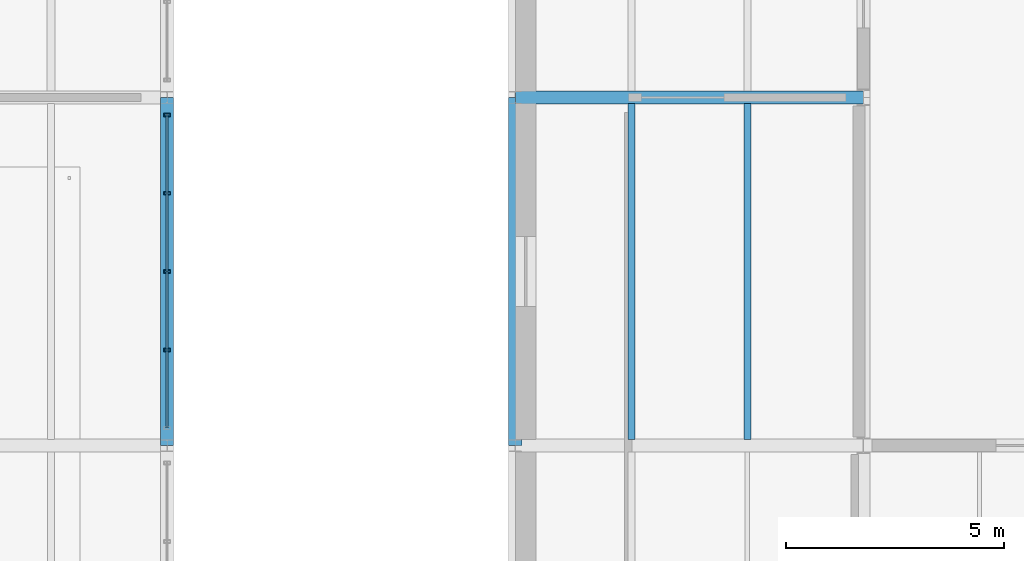
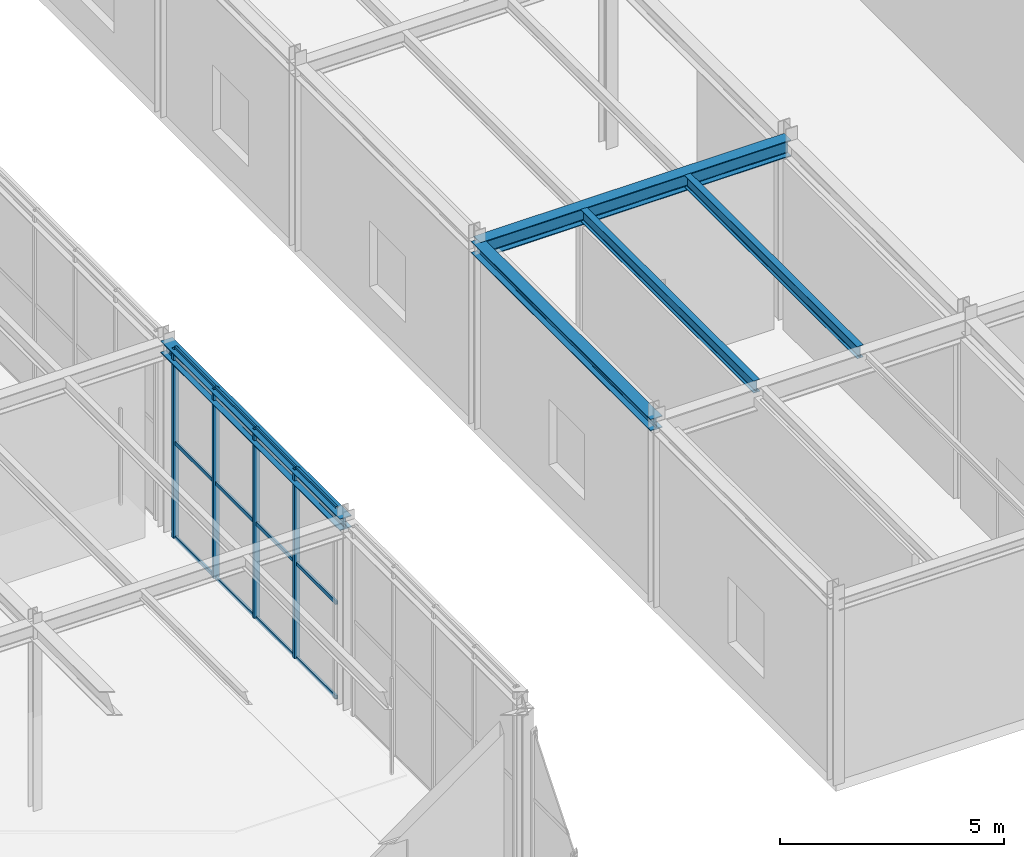
# One storey, part 51 of 129: 16 members, 5 beams, 1 element without a shape of its own.
"""IFC4 building model written with IfcOpenShell, lengths in metres."""

from ifc_helpers import new_model, si_unit, direction, frame, origin, origin_2d, place, context, subcontext, project, spatial, hollow_rectangle, i_section, extrude, material, material_profile, profile_set, type_object, element, aggregate, save


model = new_model("IFC4")

# Units and contexts
model_context = context("Model", 3, precision=1e-05, world=origin(), true_north=direction((0.0, 1.0)))
body_context = subcontext(model_context, "Body", "Model", "MODEL_VIEW")
ifc_project = project(units=[si_unit("LENGTHUNIT", "METRE"), si_unit("AREAUNIT", "SQUARE_METRE"), si_unit("VOLUMEUNIT", "CUBIC_METRE"), si_unit("PLANEANGLEUNIT", "RADIAN"), si_unit("MASSUNIT", "GRAM", prefix="KILO")], contexts=[model_context])

# Site, building, storey
site_placement = place(None, origin())
site = spatial("IfcSite", under=ifc_project, at=site_placement, CompositionType="ELEMENT")
building_placement = place(site_placement, origin())
building = spatial("IfcBuilding", under=site, at=building_placement, Name="Sundkrona Museum", CompositionType="ELEMENT")
storey_placement = place(building_placement, origin())
storey = spatial("IfcBuildingStorey", under=building, at=storey_placement, Name="L00", CompositionType="ELEMENT", Elevation=0.0)

# Beams
ifc_material_1 = material(Name="Steel S355J2", Category="steel")
ifc_material_profile_1 = material_profile(ifc_material_1, i_section(OverallWidth=0.300048828125, OverallDepth=0.43994140625, WebThickness=0.011474609375, FlangeThickness=0.02099609375, FilletRadius=0.027099609375, at=origin_2d()), Name="HEA 450")
ifc_profile_set_1 = profile_set([ifc_material_profile_1], Name="Steel S355J2")
beam_type_1 = type_object("IfcBeamType", Name="B-HEA450", PredefinedType="BEAM", material=ifc_profile_set_1)
beam_placement = place(storey_placement, frame((104.0, 94.0, 4.830078125), z_axis=(1.0, 0.0, 0.0), x_axis=(0.0, 1.0, 0.0)))
element("IfcBeam", 1, at=beam_placement, inside=storey, type_object=beam_type_1, Name="L00 Girder X-0560", PredefinedType="BEAM", context=body_context, shape_type="SweptSolid", body=[
    extrude(i_section(OverallWidth=0.300048828125, OverallDepth=0.43994140625, WebThickness=0.011474609375, FlangeThickness=0.02099609375, FilletRadius=0.027099609375, at=origin_2d()), origin(), (0.0, 0.0, 1.0), 8.0),
])
ifc_material_profile_2 = material_profile(ifc_material_1, i_section(OverallWidth=0.159912109375, OverallDepth=0.330078125, WebThickness=0.007568359375, FlangeThickness=0.011474609375, FilletRadius=0.01806640625, at=origin_2d()), Name="IPE 330")
ifc_profile_set_2 = profile_set([ifc_material_profile_2], Name="Steel S355J2")
beam_type_2 = type_object("IfcBeamType", Name="J-IPE330", PredefinedType="JOIST", material=ifc_profile_set_2)
for number, where, z_axis, x_axis, name in (
    (2, (106.666748046875, 86.14404296875, 4.885009765625), (0.0, 1.0, 0.0), (-1.0, 0.0, 0.0), "L00 Composite Joist 0441"),
    (3, (109.333251953125, 86.14404296875, 4.885009765625), (0.0, 1.0, 0.0), (-1.0, 0.0, 0.0), "L00 Composite Joist 0442"),
):
    element("IfcBeam", number, at=place(storey_placement, frame(where, z_axis=z_axis, x_axis=x_axis)), inside=storey, type_object=beam_type_2, Name=name, PredefinedType="JOIST", context=body_context, shape_type="SweptSolid", body=[
        extrude(i_section(OverallWidth=0.159912109375, OverallDepth=0.330078125, WebThickness=0.007568359375, FlangeThickness=0.011474609375, FilletRadius=0.01806640625, at=origin_2d()), origin(), (0.0, 0.0, 1.0), 7.7119140625),
    ])

# Curtain wall, members
ifc_material_2 = material(Name="Unitised Aluminium-Steel and Ceramic-Clad Curtain Walling", Category="steel")
curtain_wall_type = type_object("IfcCurtainWallType", Name="CW-PS-74x48", PredefinedType="NOTDEFINED", material=ifc_material_2)
curtain_wall_placement = place(storey_placement, origin())
curtain_wall = element("IfcCurtainWall", 4, at=curtain_wall_placement, inside=storey, type_object=curtain_wall_type, Name="L00 Curtain Wall CW-L00-105", PredefinedType="NOTDEFINED")
ifc_material_3 = material(Name="Aluminium EN AW-6060 T66", Category="aluminium")
ifc_material_profile_3 = material_profile(ifc_material_3, hollow_rectangle(XDim=0.074951171875, YDim=0.14990234375, WallThickness=0.00634765625, at=origin_2d()), Name="RHS 150x75x6.3")
ifc_profile_set_3 = profile_set([ifc_material_profile_3], Name="Aluminium EN AW-6060 T66")
member_type_1 = type_object("IfcMemberType", Name="ML-150", PredefinedType="MULLION", material=ifc_profile_set_3)
member_1_placement = place(storey_placement, frame((96.0, 88.199951171875, -0.00390625), z_axis=(0.0, 0.0, 1.0), x_axis=(0.0, 1.0, 0.0)))
member_1 = element("IfcMember", 5, at=member_1_placement, type_object=member_type_1, Name="CW-L00-105 Mullion 02", PredefinedType="MULLION", context=body_context, shape_type="SweptSolid", body=[
    extrude(hollow_rectangle(XDim=0.074951171875, YDim=0.14990234375, WallThickness=0.00634765625, at=origin_2d()), origin(), (0.0, 0.0, 1.0), 5.14794921875),
])
member_2_placement = place(storey_placement, frame((96.0, 90.0, -0.00390625), z_axis=(0.0, 0.0, 1.0), x_axis=(0.0, 1.0, 0.0)))
member_2 = element("IfcMember", 6, at=member_2_placement, type_object=member_type_1, Name="CW-L00-105 Mullion 03", PredefinedType="MULLION", context=body_context, shape_type="SweptSolid", body=[
    extrude(hollow_rectangle(XDim=0.074951171875, YDim=0.14990234375, WallThickness=0.00634765625, at=origin_2d()), origin(), (0.0, 0.0, 1.0), 5.14794921875),
])
member_3_placement = place(storey_placement, frame((96.0, 91.800048828125, -0.00390625), z_axis=(0.0, 0.0, 1.0), x_axis=(0.0, 1.0, 0.0)))
member_3 = element("IfcMember", 7, at=member_3_placement, type_object=member_type_1, Name="CW-L00-105 Mullion 04", PredefinedType="MULLION", context=body_context, shape_type="SweptSolid", body=[
    extrude(hollow_rectangle(XDim=0.074951171875, YDim=0.14990234375, WallThickness=0.00634765625, at=origin_2d()), origin(), (0.0, 0.0, 1.0), 5.14794921875),
])
member_4_placement = place(storey_placement, frame((96.0, 93.60009765625, -0.00390625), z_axis=(0.0, 0.0, 1.0), x_axis=(0.0, 1.0, 0.0)))
member_4 = element("IfcMember", 8, at=member_4_placement, type_object=member_type_1, Name="CW-L00-105 Mullion 05", PredefinedType="MULLION", context=body_context, shape_type="SweptSolid", body=[
    extrude(hollow_rectangle(XDim=0.074951171875, YDim=0.14990234375, WallThickness=0.00634765625, at=origin_2d()), origin(), (0.0, 0.0, 1.0), 5.14794921875),
])

# Beams
ifc_material_profile_4 = material_profile(ifc_material_1, i_section(OverallWidth=0.300048828125, OverallDepth=0.320068359375, WebThickness=0.011474609375, FlangeThickness=0.0205078125, FilletRadius=0.027099609375, at=origin_2d()), Name="HEB 320")
ifc_profile_set_4 = profile_set([ifc_material_profile_4], Name="Steel S355J2")
beam_type_3 = type_object("IfcBeamType", Name="SP-HEB320", PredefinedType="SPANDREL", material=ifc_profile_set_4)
for number, where, z_axis, x_axis, name in (
    (9, (96.0, 86.0, 4.97998046875), (0.0, 1.0, 0.0), (-1.0, 0.0, 0.0), "L00 Girder Y-0707"),
    (10, (104.0, 86.0, 4.889892578125), (0.0, 1.0, 0.0), (-1.0, 0.0, 0.0), "L00 Girder Y-0712"),
):
    element("IfcBeam", number, at=place(storey_placement, frame(where, z_axis=z_axis, x_axis=x_axis)), inside=storey, type_object=beam_type_3, Name=name, PredefinedType="SPANDREL", context=body_context, shape_type="SweptSolid", body=[
        extrude(i_section(OverallWidth=0.300048828125, OverallDepth=0.320068359375, WebThickness=0.011474609375, FlangeThickness=0.0205078125, FilletRadius=0.027099609375, at=origin_2d()), origin(), (0.0, 0.0, 1.0), 8.0),
    ])

# Member
ifc_material_profile_5 = material_profile(ifc_material_3, hollow_rectangle(XDim=0.050048828125, YDim=0.10009765625, WallThickness=0.0048828125, at=origin_2d()), Name="RHS 100x50x5.0")
ifc_profile_set_5 = profile_set([ifc_material_profile_5], Name="Aluminium EN AW-6060 T66")
member_type_2 = type_object("IfcMemberType", Name="TR-100", PredefinedType="USERDEFINED", material=ifc_profile_set_5)
member_5_placement = place(storey_placement, frame((96.0, 86.39990234375, -0.00390625), z_axis=(0.0, 1.0, 0.0), x_axis=(-1.0, 0.0, 0.0)))
member_5 = element("IfcMember", 11, at=member_5_placement, type_object=member_type_2, Name="CW-L00-105 Transom 01", ObjectType="TRANSOM", PredefinedType="USERDEFINED", context=body_context, shape_type="SweptSolid", body=[
    extrude(hollow_rectangle(XDim=0.050048828125, YDim=0.10009765625, WallThickness=0.0048828125, at=origin_2d()), origin(), (0.0, 0.0, 1.0), 1.800048828125),
])

member_6_placement = place(storey_placement, frame((96.0, 86.39990234375, 2.570068359375), z_axis=(0.0, 1.0, 0.0), x_axis=(-1.0, 0.0, 0.0)))
member_6 = element("IfcMember", 12, at=member_6_placement, type_object=member_type_2, Name="CW-L00-105 Transom 02", ObjectType="TRANSOM", PredefinedType="USERDEFINED", context=body_context, shape_type="SweptSolid", body=[
    extrude(hollow_rectangle(XDim=0.050048828125, YDim=0.10009765625, WallThickness=0.0048828125, at=origin_2d()), origin(), (0.0, 0.0, 1.0), 1.800048828125),
])

member_7_placement = place(storey_placement, frame((96.0, 86.39990234375, 5.14404296875), z_axis=(0.0, 1.0, 0.0), x_axis=(-1.0, 0.0, 0.0)))
member_7 = element("IfcMember", 13, at=member_7_placement, type_object=member_type_2, Name="CW-L00-105 Transom 03", ObjectType="TRANSOM", PredefinedType="USERDEFINED", context=body_context, shape_type="SweptSolid", body=[
    extrude(hollow_rectangle(XDim=0.050048828125, YDim=0.10009765625, WallThickness=0.0048828125, at=origin_2d()), origin(), (0.0, 0.0, 1.0), 1.800048828125),
])

member_8_placement = place(storey_placement, frame((96.0, 88.199951171875, -0.00390625), z_axis=(0.0, 1.0, 0.0), x_axis=(-1.0, 0.0, 0.0)))
member_8 = element("IfcMember", 14, at=member_8_placement, type_object=member_type_2, Name="CW-L00-105 Transom 04", ObjectType="TRANSOM", PredefinedType="USERDEFINED", context=body_context, shape_type="SweptSolid", body=[
    extrude(hollow_rectangle(XDim=0.050048828125, YDim=0.10009765625, WallThickness=0.0048828125, at=origin_2d()), origin(), (0.0, 0.0, 1.0), 1.800048828125),
])

member_9_placement = place(storey_placement, frame((96.0, 88.199951171875, 2.570068359375), z_axis=(0.0, 1.0, 0.0), x_axis=(-1.0, 0.0, 0.0)))
member_9 = element("IfcMember", 15, at=member_9_placement, type_object=member_type_2, Name="CW-L00-105 Transom 05", ObjectType="TRANSOM", PredefinedType="USERDEFINED", context=body_context, shape_type="SweptSolid", body=[
    extrude(hollow_rectangle(XDim=0.050048828125, YDim=0.10009765625, WallThickness=0.0048828125, at=origin_2d()), origin(), (0.0, 0.0, 1.0), 1.800048828125),
])

member_10_placement = place(storey_placement, frame((96.0, 88.199951171875, 5.14404296875), z_axis=(0.0, 1.0, 0.0), x_axis=(-1.0, 0.0, 0.0)))
member_10 = element("IfcMember", 16, at=member_10_placement, type_object=member_type_2, Name="CW-L00-105 Transom 06", ObjectType="TRANSOM", PredefinedType="USERDEFINED", context=body_context, shape_type="SweptSolid", body=[
    extrude(hollow_rectangle(XDim=0.050048828125, YDim=0.10009765625, WallThickness=0.0048828125, at=origin_2d()), origin(), (0.0, 0.0, 1.0), 1.800048828125),
])

member_11_placement = place(storey_placement, frame((96.0, 90.0, -0.00390625), z_axis=(0.0, 1.0, 0.0), x_axis=(-1.0, 0.0, 0.0)))
member_11 = element("IfcMember", 17, at=member_11_placement, type_object=member_type_2, Name="CW-L00-105 Transom 07", ObjectType="TRANSOM", PredefinedType="USERDEFINED", context=body_context, shape_type="SweptSolid", body=[
    extrude(hollow_rectangle(XDim=0.050048828125, YDim=0.10009765625, WallThickness=0.0048828125, at=origin_2d()), origin(), (0.0, 0.0, 1.0), 1.800048828125),
])

member_12_placement = place(storey_placement, frame((96.0, 90.0, 2.570068359375), z_axis=(0.0, 1.0, 0.0), x_axis=(-1.0, 0.0, 0.0)))
member_12 = element("IfcMember", 18, at=member_12_placement, type_object=member_type_2, Name="CW-L00-105 Transom 08", ObjectType="TRANSOM", PredefinedType="USERDEFINED", context=body_context, shape_type="SweptSolid", body=[
    extrude(hollow_rectangle(XDim=0.050048828125, YDim=0.10009765625, WallThickness=0.0048828125, at=origin_2d()), origin(), (0.0, 0.0, 1.0), 1.800048828125),
])

member_13_placement = place(storey_placement, frame((96.0, 90.0, 5.14404296875), z_axis=(0.0, 1.0, 0.0), x_axis=(-1.0, 0.0, 0.0)))
member_13 = element("IfcMember", 19, at=member_13_placement, type_object=member_type_2, Name="CW-L00-105 Transom 09", ObjectType="TRANSOM", PredefinedType="USERDEFINED", context=body_context, shape_type="SweptSolid", body=[
    extrude(hollow_rectangle(XDim=0.050048828125, YDim=0.10009765625, WallThickness=0.0048828125, at=origin_2d()), origin(), (0.0, 0.0, 1.0), 1.800048828125),
])

member_14_placement = place(storey_placement, frame((96.0, 91.800048828125, -0.00390625), z_axis=(0.0, 1.0, 0.0), x_axis=(-1.0, 0.0, 0.0)))
member_14 = element("IfcMember", 20, at=member_14_placement, type_object=member_type_2, Name="CW-L00-105 Transom 10", ObjectType="TRANSOM", PredefinedType="USERDEFINED", context=body_context, shape_type="SweptSolid", body=[
    extrude(hollow_rectangle(XDim=0.050048828125, YDim=0.10009765625, WallThickness=0.0048828125, at=origin_2d()), origin(), (0.0, 0.0, 1.0), 1.800048828125),
])

member_15_placement = place(storey_placement, frame((96.0, 91.800048828125, 2.570068359375), z_axis=(0.0, 1.0, 0.0), x_axis=(-1.0, 0.0, 0.0)))
member_15 = element("IfcMember", 21, at=member_15_placement, type_object=member_type_2, Name="CW-L00-105 Transom 11", ObjectType="TRANSOM", PredefinedType="USERDEFINED", context=body_context, shape_type="SweptSolid", body=[
    extrude(hollow_rectangle(XDim=0.050048828125, YDim=0.10009765625, WallThickness=0.0048828125, at=origin_2d()), origin(), (0.0, 0.0, 1.0), 1.800048828125),
])

member_16_placement = place(storey_placement, frame((96.0, 91.800048828125, 5.14404296875), z_axis=(0.0, 1.0, 0.0), x_axis=(-1.0, 0.0, 0.0)))
member_16 = element("IfcMember", 22, at=member_16_placement, type_object=member_type_2, Name="CW-L00-105 Transom 12", ObjectType="TRANSOM", PredefinedType="USERDEFINED", context=body_context, shape_type="SweptSolid", body=[
    extrude(hollow_rectangle(XDim=0.050048828125, YDim=0.10009765625, WallThickness=0.0048828125, at=origin_2d()), origin(), (0.0, 0.0, 1.0), 1.800048828125),
])

aggregate(curtain_wall, [member_1, member_2, member_3, member_4, member_5, member_6, member_7, member_8, member_9, member_10, member_11, member_12, member_13, member_14, member_15, member_16])

save(model, "model.ifc")
